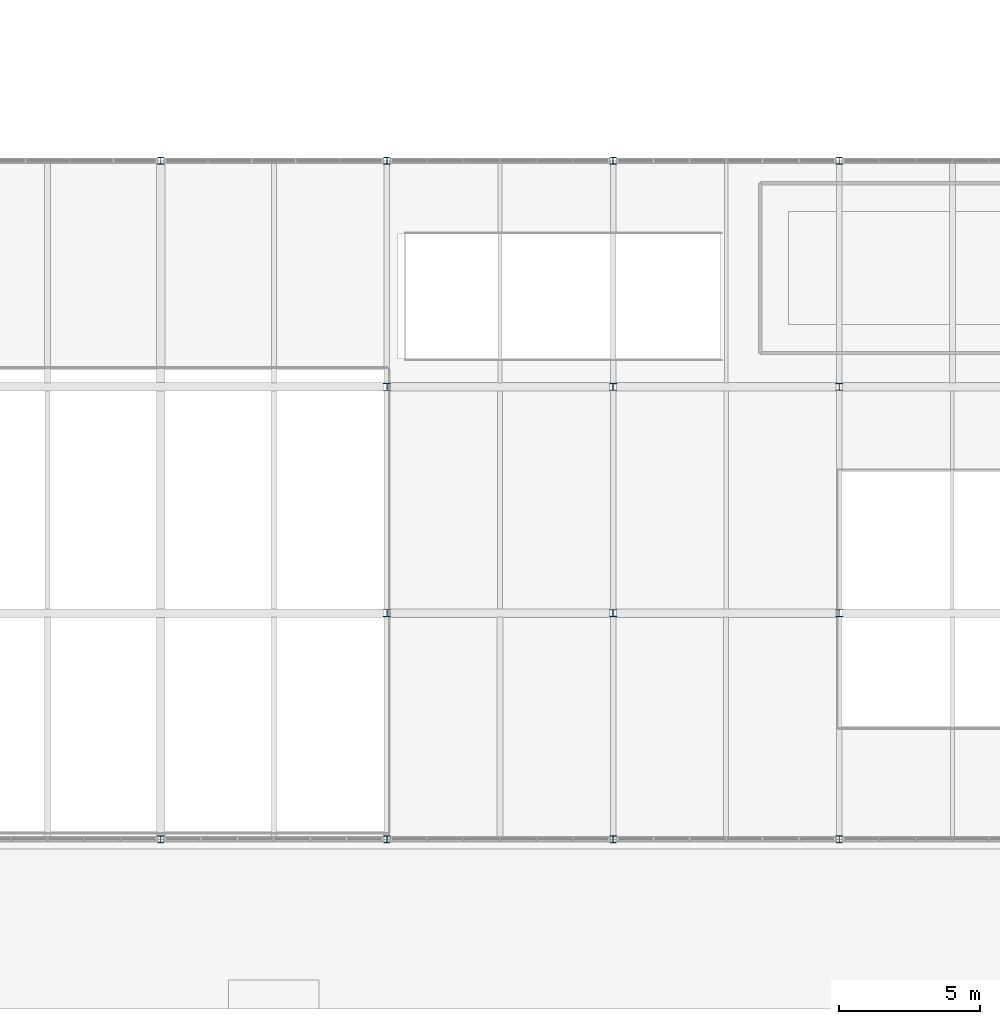
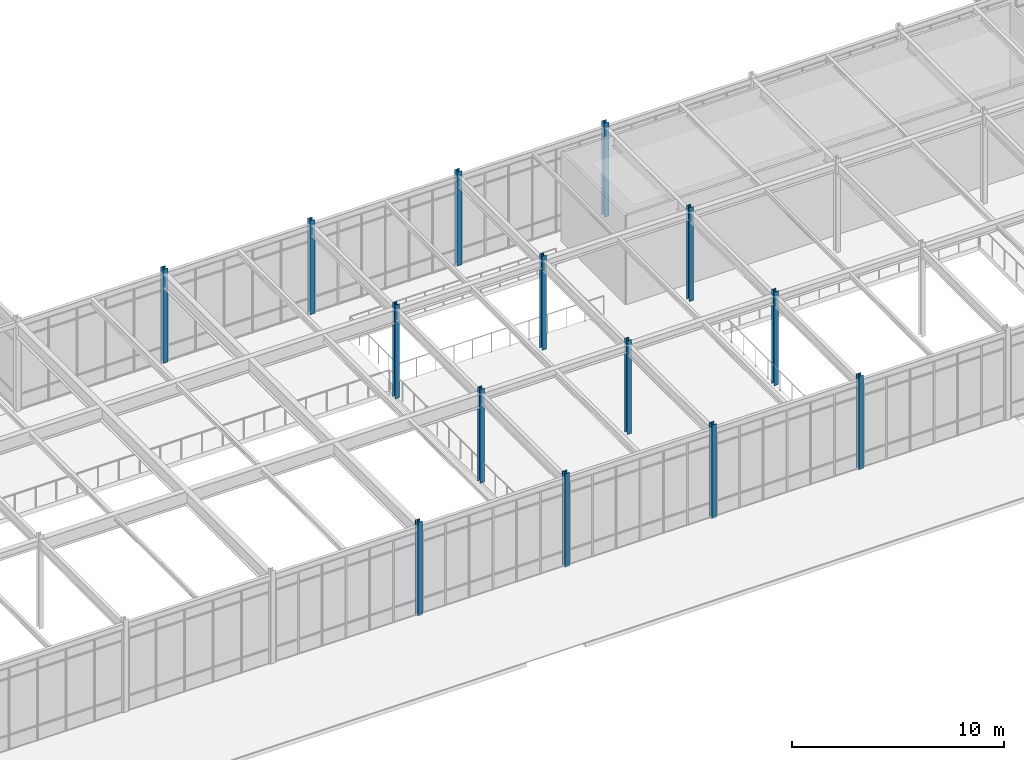
# One storey, part 8 of 184: 14 columns.
"""IFC4 building model written with IfcOpenShell, lengths in metres."""

from ifc_helpers import new_model, si_unit, direction, frame, origin, origin_2d, place, context, subcontext, project, spatial, i_section, extrude, material, material_profile, profile_set, type_object, element, save


model = new_model("IFC4")

# Units and contexts
model_context = context("Model", 3, precision=1e-05, world=origin(), true_north=direction((0.0, 1.0)))
body_context = subcontext(model_context, "Body", "Model", "MODEL_VIEW")
ifc_project = project(units=[si_unit("LENGTHUNIT", "METRE"), si_unit("AREAUNIT", "SQUARE_METRE"), si_unit("VOLUMEUNIT", "CUBIC_METRE"), si_unit("PLANEANGLEUNIT", "RADIAN"), si_unit("MASSUNIT", "GRAM", prefix="KILO")], contexts=[model_context])

# Site, building, storey
site_placement = place(None, origin())
site = spatial("IfcSite", under=ifc_project, at=site_placement, CompositionType="ELEMENT")
building_placement = place(site_placement, origin())
building = spatial("IfcBuilding", under=site, at=building_placement, Name="Zhaolan Boulevard Law Courts", CompositionType="ELEMENT")
storey_placement = place(building_placement, frame((0.0, 0.0, 5.39990234375)))
storey = spatial("IfcBuildingStorey", under=building, at=storey_placement, Name="L01", CompositionType="ELEMENT", Elevation=5.39990234375)

# Columns
ifc_material = material(Name="Structural steel Q355B", Category="steel")
ifc_material_profile = material_profile(ifc_material, i_section(OverallWidth=0.25, OverallDepth=0.25, WebThickness=0.009033203125, FlangeThickness=0.013916015625, FilletRadius=0.01611328125, at=origin_2d()), Name="HW250x250")
ifc_profile_set = profile_set([ifc_material_profile], Name="Structural steel Q355B")
column_type = type_object("IfcColumnType", Name="COL HW250", PredefinedType="COLUMN", material=ifc_profile_set)
for number, where, z_axis, x_axis, name in (
    (1, (68.0, 6.0, 0.0), (0.0, 0.0, 1.0), (1.0, 0.0, 0.0), "Column C-9B (L01)"),
    (2, (68.0, 30.0, 0.0), (0.0, 0.0, 1.0), (1.0, 0.0, 0.0), "Column C-9E (L01)"),
    (3, (76.0, 6.0, 0.0), (0.0, 0.0, 1.0), (1.0, 0.0, 0.0), "Column C-10B (L01)"),
    (4, (76.0, 14.0, 0.0), (0.0, 0.0, 1.0), (1.0, 0.0, 0.0), "Column C-10C (L01)"),
    (5, (76.0, 22.0, 0.0), (0.0, 0.0, 1.0), (1.0, 0.0, 0.0), "Column C-10D (L01)"),
    (6, (76.0, 30.0, 0.0), (0.0, 0.0, 1.0), (1.0, 0.0, 0.0), "Column C-10E (L01)"),
    (7, (84.0, 6.0, 0.0), (0.0, 0.0, 1.0), (1.0, 0.0, 0.0), "Column C-11B (L01)"),
    (8, (84.0, 14.0, 0.0), (0.0, 0.0, 1.0), (1.0, 0.0, 0.0), "Column C-11C (L01)"),
    (9, (84.0, 22.0, 0.0), (0.0, 0.0, 1.0), (1.0, 0.0, 0.0), "Column C-11D (L01)"),
    (10, (84.0, 30.0, 0.0), (0.0, 0.0, 1.0), (1.0, 0.0, 0.0), "Column C-11E (L01)"),
    (11, (92.0, 6.0, 0.0), (0.0, 0.0, 1.0), (1.0, 0.0, 0.0), "Column C-12B (L01)"),
    (12, (92.0, 14.0, 0.0), (0.0, 0.0, 1.0), (1.0, 0.0, 0.0), "Column C-12C (L01)"),
    (13, (92.0, 22.0, 0.0), (0.0, 0.0, 1.0), (1.0, 0.0, 0.0), "Column C-12D (L01)"),
    (14, (92.0, 30.0, 0.0), (0.0, 0.0, 1.0), (1.0, 0.0, 0.0), "Column C-12E (L01)"),
):
    element("IfcColumn", number, at=place(storey_placement, frame(where, z_axis=z_axis, x_axis=x_axis)), inside=storey, type_object=column_type, Name=name, PredefinedType="COLUMN", context=body_context, shape_type="SweptSolid", body=[
        extrude(i_section(OverallWidth=0.25, OverallDepth=0.25, WebThickness=0.009033203125, FlangeThickness=0.013916015625, FilletRadius=0.01611328125, at=origin_2d()), origin(), (0.0, 0.0, 1.0), 5.400146484375),
    ])

save(model, "model.ifc")
